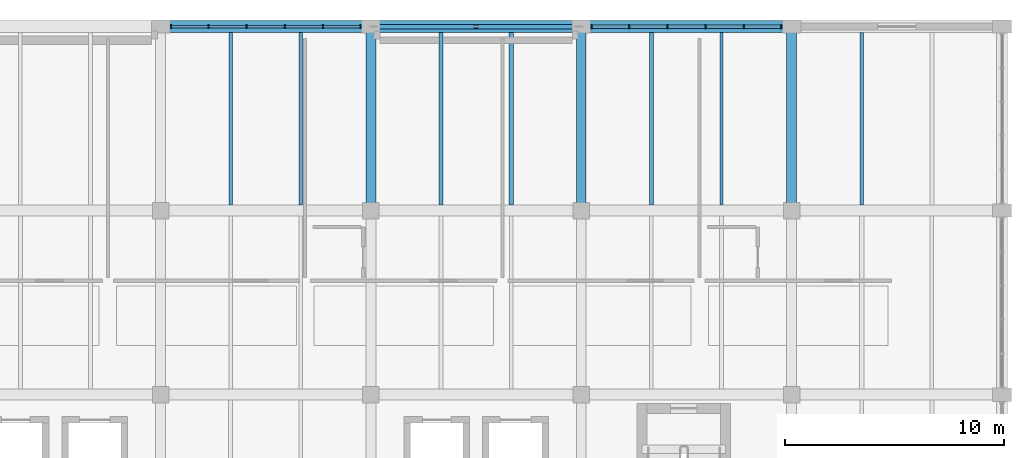
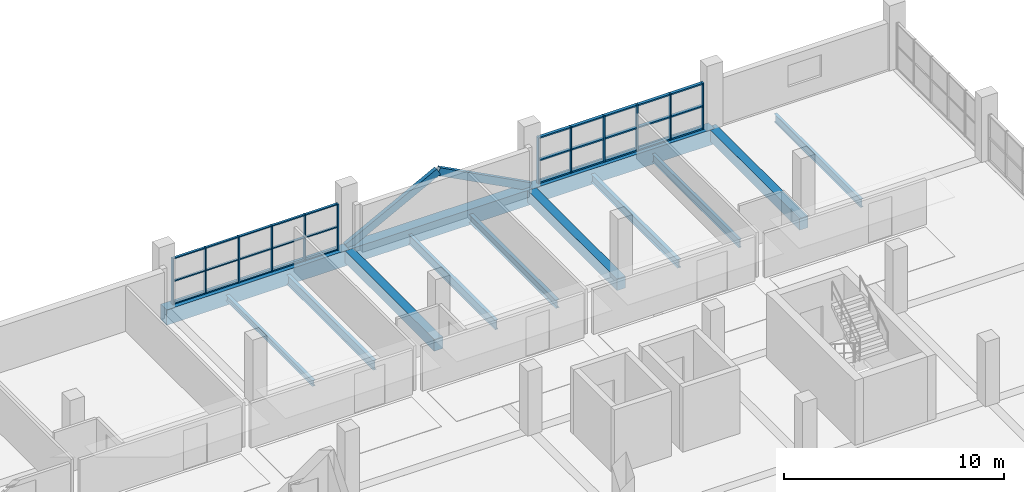
# One storey, part 89 of 147: 44 members, 13 beams, 2 elements without a shape of their own.
"""IFC4 building model written with IfcOpenShell, lengths in metres."""

from ifc_helpers import new_model, si_unit, direction, frame, origin, origin_2d, place, context, subcontext, project, spatial, rectangle, hollow_rectangle, i_section, extrude, material, material_profile, profile_set, type_object, element, aggregate, save


model = new_model("IFC4")

# Units and contexts
model_context = context("Model", 3, precision=1e-05, world=origin(), true_north=direction((0.0, 1.0)))
body_context = subcontext(model_context, "Body", "Model", "MODEL_VIEW")
ifc_project = project(units=[si_unit("LENGTHUNIT", "METRE"), si_unit("AREAUNIT", "SQUARE_METRE"), si_unit("VOLUMEUNIT", "CUBIC_METRE"), si_unit("PLANEANGLEUNIT", "RADIAN"), si_unit("MASSUNIT", "GRAM", prefix="KILO")], contexts=[model_context])

# Site, building, storey
site_placement = place(None, origin())
site = spatial("IfcSite", under=ifc_project, at=site_placement, CompositionType="ELEMENT")
building_placement = place(site_placement, origin())
building = spatial("IfcBuilding", under=site, at=building_placement, Name="Oolite Switchyard Hospital", CompositionType="ELEMENT")
storey_placement = place(building_placement, frame((0.0, 0.0, 9.89990234375)))
storey = spatial("IfcBuildingStorey", under=building, at=storey_placement, Name="L02", CompositionType="ELEMENT", Elevation=9.89990234375)

# Beams
ifc_material_1 = material(Name="Concrete C40/50", Category="concrete")
ifc_material_profile_1 = material_profile(ifc_material_1, rectangle(XDim=0.449951171875, YDim=0.64990234375, at=origin_2d()), Name="RCB450X650")
ifc_profile_set_1 = profile_set([ifc_material_profile_1], Name="Concrete C40/50")
beam_type_1 = type_object("IfcBeamType", Name="BM-RC450X650", PredefinedType="BEAM", material=ifc_profile_set_1)
for number, where, z_axis, x_axis, name in (
    (1, (182.39990234375, 126.0, -0.324951171875), (0.0, 1.0, 0.0), (-1.0, 0.0, 0.0), "L02 Y-Girder 1478"),
    (2, (192.0, 126.0, -0.324951171875), (0.0, 1.0, 0.0), (-1.0, 0.0, 0.0), "L02 Y-Girder 1490"),
    (3, (201.60009765625, 126.0, -0.324951171875), (0.0, 1.0, 0.0), (-1.0, 0.0, 0.0), "L02 Y-Girder 1502"),
):
    element("IfcBeam", number, at=place(storey_placement, frame(where, z_axis=z_axis, x_axis=x_axis)), inside=storey, type_object=beam_type_1, Name=name, PredefinedType="BEAM", context=body_context, shape_type="SweptSolid", body=[
        extrude(rectangle(XDim=0.449951171875, YDim=0.64990234375, at=origin_2d()), origin(), (0.0, 0.0, 1.0), 8.39990234375),
    ])
ifc_material_profile_2 = material_profile(ifc_material_1, rectangle(XDim=0.550048828125, YDim=0.85009765625, at=origin_2d()), Name="RCB550X850")
ifc_profile_set_2 = profile_set([ifc_material_profile_2], Name="Concrete C40/50")
beam_type_2 = type_object("IfcBeamType", Name="BM-RC550X850", PredefinedType="BEAM", material=ifc_profile_set_2)
beam_1_placement = place(storey_placement, frame((172.800048828125, 134.39990234375, -0.4248046875), z_axis=(1.0, 0.0, 0.0), x_axis=(0.0, 1.0, 0.0)))
element("IfcBeam", 4, at=beam_1_placement, inside=storey, type_object=beam_type_2, Name="L02 X-Girder 1246", PredefinedType="BEAM", context=body_context, shape_type="SweptSolid", body=[
    extrude(rectangle(XDim=0.550048828125, YDim=0.85009765625, at=origin_2d()), origin(), (0.0, 0.0, 1.0), 9.599853515625),
])
for number, where, z_axis, x_axis, name in (
    (5, (182.39990234375, 134.39990234375, -0.4248046875), (1.0, 0.0, 0.0), (0.0, 1.0, 0.0), "L02 X-Girder 1247"),
    (6, (192.0, 134.39990234375, -0.4248046875), (1.0, 0.0, 0.0), (0.0, 1.0, 0.0), "L02 X-Girder 1248"),
):
    element("IfcBeam", number, at=place(storey_placement, frame(where, z_axis=z_axis, x_axis=x_axis)), inside=storey, type_object=beam_type_2, Name=name, PredefinedType="BEAM", context=body_context, shape_type="SweptSolid", body=[
        extrude(rectangle(XDim=0.550048828125, YDim=0.85009765625, at=origin_2d()), origin(), (0.0, 0.0, 1.0), 9.60009765625),
    ])
ifc_material_2 = material(Name="Steel ASTM A992 Grade 50", Category="steel")
ifc_material_profile_3 = material_profile(ifc_material_2, i_section(OverallWidth=0.1650390625, OverallDepth=0.31005859375, WebThickness=0.006103515625, FlangeThickness=0.010009765625, at=origin_2d()), Name="W12X26")
ifc_profile_set_3 = profile_set([ifc_material_profile_3], Name="Steel ASTM A992 Grade 50")
beam_type_3 = type_object("IfcBeamType", Name="BM-W12X26", PredefinedType="JOIST", material=ifc_profile_set_3)
beam_2_placement = place(storey_placement, frame((176.0, 126.25, -0.414794921875), z_axis=(0.0, 1.0, 0.0), x_axis=(-1.0, 0.0, 0.0)))
element("IfcBeam", 7, at=beam_2_placement, inside=storey, type_object=beam_type_3, Name="L02 Secondary Steel Joist 1864", PredefinedType="JOIST", context=body_context, shape_type="SweptSolid", body=[
    extrude(i_section(OverallWidth=0.1650390625, OverallDepth=0.31005859375, WebThickness=0.006103515625, FlangeThickness=0.010009765625, at=origin_2d()), origin(), (0.0, 0.0, 1.0), 7.875),
])
ifc_material_profile_4 = material_profile(ifc_material_2, i_section(OverallWidth=0.153076171875, OverallDepth=0.455078125, WebThickness=0.008056640625, FlangeThickness=0.012939453125, at=origin_2d()), Name="W18X40")
ifc_profile_set_4 = profile_set([ifc_material_profile_4], Name="Steel ASTM A992 Grade 50")
beam_type_4 = type_object("IfcBeamType", Name="BM-W18X40", PredefinedType="JOIST", material=ifc_profile_set_4)
for number, where, z_axis, x_axis, name in (
    (8, (198.39990234375, 126.25, -0.48681640625), (0.0, 1.0, 0.0), (-1.0, 0.0, 0.0), "L02 Secondary Steel Joist 1909"),
    (9, (204.800048828125, 126.25, -0.48681640625), (0.0, 1.0, 0.0), (-1.0, 0.0, 0.0), "L02 Secondary Steel Joist 1924"),
):
    element("IfcBeam", number, at=place(storey_placement, frame(where, z_axis=z_axis, x_axis=x_axis)), inside=storey, type_object=beam_type_4, Name=name, PredefinedType="JOIST", context=body_context, shape_type="SweptSolid", body=[
        extrude(i_section(OverallWidth=0.153076171875, OverallDepth=0.455078125, WebThickness=0.008056640625, FlangeThickness=0.012939453125, at=origin_2d()), origin(), (0.0, 0.0, 1.0), 7.875),
    ])
ifc_material_profile_5 = material_profile(ifc_material_2, i_section(OverallWidth=0.19091796875, OverallDepth=0.4599609375, WebThickness=0.010009765625, FlangeThickness=0.01611328125, at=origin_2d()), Name="W18X55")
ifc_profile_set_5 = profile_set([ifc_material_profile_5], Name="Steel ASTM A992 Grade 50")
beam_type_5 = type_object("IfcBeamType", Name="BM-W18X55", PredefinedType="JOIST", material=ifc_profile_set_5)
for number, where, z_axis, x_axis, name in (
    (10, (188.800048828125, 126.25, -0.489990234375), (0.0, 1.0, 0.0), (-1.0, 0.0, 0.0), "L02 Secondary Steel Joist 1887"),
    (11, (195.199951171875, 126.25, -0.489990234375), (0.0, 1.0, 0.0), (-1.0, 0.0, 0.0), "L02 Secondary Steel Joist 1908"),
):
    element("IfcBeam", number, at=place(storey_placement, frame(where, z_axis=z_axis, x_axis=x_axis)), inside=storey, type_object=beam_type_5, Name=name, PredefinedType="JOIST", context=body_context, shape_type="SweptSolid", body=[
        extrude(i_section(OverallWidth=0.19091796875, OverallDepth=0.4599609375, WebThickness=0.010009765625, FlangeThickness=0.01611328125, at=origin_2d()), origin(), (0.0, 0.0, 1.0), 7.875),
    ])
ifc_material_profile_6 = material_profile(ifc_material_2, i_section(OverallWidth=0.166015625, OverallDepth=0.529052734375, WebThickness=0.010009765625, FlangeThickness=0.013916015625, at=origin_2d()), Name="W21X50")
ifc_profile_set_6 = profile_set([ifc_material_profile_6], Name="Steel ASTM A992 Grade 50")
beam_type_6 = type_object("IfcBeamType", Name="BM-W21X50", PredefinedType="JOIST", material=ifc_profile_set_6)
for number, where, z_axis, x_axis, name in (
    (12, (179.199951171875, 126.25, -0.52392578125), (0.0, 1.0, 0.0), (-1.0, 0.0, 0.0), "L02 Secondary Steel Joist 1865"),
    (13, (185.60009765625, 126.25, -0.52392578125), (0.0, 1.0, 0.0), (-1.0, 0.0, 0.0), "L02 Secondary Steel Joist 1886"),
):
    element("IfcBeam", number, at=place(storey_placement, frame(where, z_axis=z_axis, x_axis=x_axis)), inside=storey, type_object=beam_type_6, Name=name, PredefinedType="JOIST", context=body_context, shape_type="SweptSolid", body=[
        extrude(i_section(OverallWidth=0.166015625, OverallDepth=0.529052734375, WebThickness=0.010009765625, FlangeThickness=0.013916015625, at=origin_2d()), origin(), (0.0, 0.0, 1.0), 7.875),
    ])

# Curtain wall, members
ifc_material_3 = material(Name="Thermally broken aluminum frame with laminated impact glazing", Category="aluminium")
curtain_wall_type = type_object("IfcCurtainWallType", Name="CW-UNIT-96X36", PredefinedType="USERDEFINED", material=ifc_material_3)
curtain_wall_1_placement = place(storey_placement, origin())
curtain_wall_1 = element("IfcCurtainWall", 14, at=curtain_wall_1_placement, inside=storey, type_object=curtain_wall_type, Name="L02 Unitised Curtain Wall 274", ObjectType="UNITISED", PredefinedType="USERDEFINED")
ifc_material_4 = material(Name="Aluminium 6063-T6", Category="aluminium")
ifc_material_profile_7 = material_profile(ifc_material_4, rectangle(XDim=0.159912109375, YDim=0.06005859375, at=origin_2d()), Name="CWM60X160")
ifc_profile_set_7 = profile_set([ifc_material_profile_7], Name="Aluminium 6063-T6")
member_type_1 = type_object("IfcMemberType", Name="CW-MUL-180", PredefinedType="MULLION", material=ifc_profile_set_7)
member_1_placement = place(storey_placement, frame((173.27001953125, 134.39990234375, 0.0), z_axis=(0.0, 0.0, 1.0), x_axis=(0.0, 1.0, 0.0)))
member_1 = element("IfcMember", 15, at=member_1_placement, type_object=member_type_1, Name="CW-03 mullion 1", PredefinedType="MULLION", context=body_context, shape_type="SweptSolid", body=[
    extrude(rectangle(XDim=0.159912109375, YDim=0.06005859375, at=origin_2d()), origin(), (0.0, 0.0, 1.0), 2.570068359375),
])
member_2_placement = place(storey_placement, frame((174.98388671875, 134.39990234375, 0.0), z_axis=(0.0, 0.0, 1.0), x_axis=(0.0, 1.0, 0.0)))
member_2 = element("IfcMember", 16, at=member_2_placement, type_object=member_type_1, Name="CW-03 mullion 2", PredefinedType="MULLION", context=body_context, shape_type="SweptSolid", body=[
    extrude(rectangle(XDim=0.159912109375, YDim=0.06005859375, at=origin_2d()), origin(), (0.0, 0.0, 1.0), 2.570068359375),
])
member_3_placement = place(storey_placement, frame((176.72802734375, 134.39990234375, 0.0), z_axis=(0.0, 0.0, 1.0), x_axis=(0.0, 1.0, 0.0)))
member_3 = element("IfcMember", 17, at=member_3_placement, type_object=member_type_1, Name="CW-03 mullion 3", PredefinedType="MULLION", context=body_context, shape_type="SweptSolid", body=[
    extrude(rectangle(XDim=0.159912109375, YDim=0.06005859375, at=origin_2d()), origin(), (0.0, 0.0, 1.0), 2.570068359375),
])
member_4_placement = place(storey_placement, frame((178.471923828125, 134.39990234375, 0.0), z_axis=(0.0, 0.0, 1.0), x_axis=(0.0, 1.0, 0.0)))
member_4 = element("IfcMember", 18, at=member_4_placement, type_object=member_type_1, Name="CW-03 mullion 4", PredefinedType="MULLION", context=body_context, shape_type="SweptSolid", body=[
    extrude(rectangle(XDim=0.159912109375, YDim=0.06005859375, at=origin_2d()), origin(), (0.0, 0.0, 1.0), 2.570068359375),
])
member_5_placement = place(storey_placement, frame((180.216064453125, 134.39990234375, 0.0), z_axis=(0.0, 0.0, 1.0), x_axis=(0.0, 1.0, 0.0)))
member_5 = element("IfcMember", 19, at=member_5_placement, type_object=member_type_1, Name="CW-03 mullion 5", PredefinedType="MULLION", context=body_context, shape_type="SweptSolid", body=[
    extrude(rectangle(XDim=0.159912109375, YDim=0.06005859375, at=origin_2d()), origin(), (0.0, 0.0, 1.0), 2.570068359375),
])
member_6_placement = place(storey_placement, frame((181.929931640625, 134.39990234375, 0.0), z_axis=(0.0, 0.0, 1.0), x_axis=(0.0, 1.0, 0.0)))
member_6 = element("IfcMember", 20, at=member_6_placement, type_object=member_type_1, Name="CW-03 mullion 6", PredefinedType="MULLION", context=body_context, shape_type="SweptSolid", body=[
    extrude(rectangle(XDim=0.159912109375, YDim=0.06005859375, at=origin_2d()), origin(), (0.0, 0.0, 1.0), 2.570068359375),
])

curtain_wall_2_placement = place(storey_placement, origin())
curtain_wall_2 = element("IfcCurtainWall", 21, at=curtain_wall_2_placement, inside=storey, type_object=curtain_wall_type, Name="L02 Unitised Curtain Wall 275", ObjectType="UNITISED", PredefinedType="USERDEFINED")
ifc_material_profile_8 = material_profile(ifc_material_4, rectangle(XDim=0.179931640625, YDim=0.070068359375, at=origin_2d()), Name="CWM70X180")
ifc_profile_set_8 = profile_set([ifc_material_profile_8], Name="Aluminium 6063-T6")
member_type_2 = type_object("IfcMemberType", Name="CW-MUL-220", PredefinedType="MULLION", material=ifc_profile_set_8)
member_7_placement = place(storey_placement, frame((192.47509765625, 134.39990234375, 0.0), z_axis=(0.0, 0.0, 1.0), x_axis=(0.0, 1.0, 0.0)))
member_7 = element("IfcMember", 22, at=member_7_placement, type_object=member_type_2, Name="CW-03 mullion 1", PredefinedType="MULLION", context=body_context, shape_type="SweptSolid", body=[
    extrude(rectangle(XDim=0.179931640625, YDim=0.070068359375, at=origin_2d()), origin(), (0.0, 0.0, 1.0), 2.570068359375),
])
member_8_placement = place(storey_placement, frame((194.18408203125, 134.39990234375, 0.0), z_axis=(0.0, 0.0, 1.0), x_axis=(0.0, 1.0, 0.0)))
member_8 = element("IfcMember", 23, at=member_8_placement, type_object=member_type_2, Name="CW-03 mullion 2", PredefinedType="MULLION", context=body_context, shape_type="SweptSolid", body=[
    extrude(rectangle(XDim=0.179931640625, YDim=0.070068359375, at=origin_2d()), origin(), (0.0, 0.0, 1.0), 2.570068359375),
])
member_9_placement = place(storey_placement, frame((195.927978515625, 134.39990234375, 0.0), z_axis=(0.0, 0.0, 1.0), x_axis=(0.0, 1.0, 0.0)))
member_9 = element("IfcMember", 24, at=member_9_placement, type_object=member_type_2, Name="CW-03 mullion 3", PredefinedType="MULLION", context=body_context, shape_type="SweptSolid", body=[
    extrude(rectangle(XDim=0.179931640625, YDim=0.070068359375, at=origin_2d()), origin(), (0.0, 0.0, 1.0), 2.570068359375),
])
member_10_placement = place(storey_placement, frame((197.672119140625, 134.39990234375, 0.0), z_axis=(0.0, 0.0, 1.0), x_axis=(0.0, 1.0, 0.0)))
member_10 = element("IfcMember", 25, at=member_10_placement, type_object=member_type_2, Name="CW-03 mullion 4", PredefinedType="MULLION", context=body_context, shape_type="SweptSolid", body=[
    extrude(rectangle(XDim=0.179931640625, YDim=0.070068359375, at=origin_2d()), origin(), (0.0, 0.0, 1.0), 2.570068359375),
])
member_11_placement = place(storey_placement, frame((199.416015625, 134.39990234375, 0.0), z_axis=(0.0, 0.0, 1.0), x_axis=(0.0, 1.0, 0.0)))
member_11 = element("IfcMember", 26, at=member_11_placement, type_object=member_type_2, Name="CW-03 mullion 5", PredefinedType="MULLION", context=body_context, shape_type="SweptSolid", body=[
    extrude(rectangle(XDim=0.179931640625, YDim=0.070068359375, at=origin_2d()), origin(), (0.0, 0.0, 1.0), 2.570068359375),
])
member_12_placement = place(storey_placement, frame((201.125, 134.39990234375, 0.0), z_axis=(0.0, 0.0, 1.0), x_axis=(0.0, 1.0, 0.0)))
member_12 = element("IfcMember", 27, at=member_12_placement, type_object=member_type_2, Name="CW-03 mullion 6", PredefinedType="MULLION", context=body_context, shape_type="SweptSolid", body=[
    extrude(rectangle(XDim=0.179931640625, YDim=0.070068359375, at=origin_2d()), origin(), (0.0, 0.0, 1.0), 2.570068359375),
])

# Member
ifc_material_profile_9 = material_profile(ifc_material_4, rectangle(XDim=0.1201171875, YDim=0.06005859375, at=origin_2d()), Name="CWT60X120")
ifc_profile_set_9 = profile_set([ifc_material_profile_9], Name="Aluminium 6063-T6")
member_type_3 = type_object("IfcMemberType", Name="CW-TRN-150", PredefinedType="USERDEFINED", material=ifc_profile_set_9)
member_13_placement = place(storey_placement, frame((173.300048828125, 134.39990234375, 0.030029296875), z_axis=(1.0, 0.0, 0.0), x_axis=(0.0, 1.0, 0.0)))
member_13 = element("IfcMember", 28, at=member_13_placement, type_object=member_type_3, Name="CW-03 transom 1.1", ObjectType="TRANSOM", PredefinedType="USERDEFINED", context=body_context, shape_type="SweptSolid", body=[
    extrude(rectangle(XDim=0.1201171875, YDim=0.06005859375, at=origin_2d()), origin(), (0.0, 0.0, 1.0), 1.654052734375),
])

member_14_placement = place(storey_placement, frame((173.300048828125, 134.39990234375, 1.28515625), z_axis=(1.0, 0.0, 0.0), x_axis=(0.0, 1.0, 0.0)))
member_14 = element("IfcMember", 29, at=member_14_placement, type_object=member_type_3, Name="CW-03 transom 1.2", ObjectType="TRANSOM", PredefinedType="USERDEFINED", context=body_context, shape_type="SweptSolid", body=[
    extrude(rectangle(XDim=0.1201171875, YDim=0.06005859375, at=origin_2d()), origin(), (0.0, 0.0, 1.0), 1.654052734375),
])

member_15_placement = place(storey_placement, frame((173.300048828125, 134.39990234375, 2.5400390625), z_axis=(1.0, 0.0, 0.0), x_axis=(0.0, 1.0, 0.0)))
member_15 = element("IfcMember", 30, at=member_15_placement, type_object=member_type_3, Name="CW-03 transom 1.3", ObjectType="TRANSOM", PredefinedType="USERDEFINED", context=body_context, shape_type="SweptSolid", body=[
    extrude(rectangle(XDim=0.1201171875, YDim=0.06005859375, at=origin_2d()), origin(), (0.0, 0.0, 1.0), 1.654052734375),
])

member_16_placement = place(storey_placement, frame((175.013916015625, 134.39990234375, 0.030029296875), z_axis=(1.0, 0.0, 0.0), x_axis=(0.0, 1.0, 0.0)))
member_16 = element("IfcMember", 31, at=member_16_placement, type_object=member_type_3, Name="CW-03 transom 2.1", ObjectType="TRANSOM", PredefinedType="USERDEFINED", context=body_context, shape_type="SweptSolid", body=[
    extrude(rectangle(XDim=0.1201171875, YDim=0.06005859375, at=origin_2d()), origin(), (0.0, 0.0, 1.0), 1.68408203125),
])

member_17_placement = place(storey_placement, frame((175.013916015625, 134.39990234375, 1.28515625), z_axis=(1.0, 0.0, 0.0), x_axis=(0.0, 1.0, 0.0)))
member_17 = element("IfcMember", 32, at=member_17_placement, type_object=member_type_3, Name="CW-03 transom 2.2", ObjectType="TRANSOM", PredefinedType="USERDEFINED", context=body_context, shape_type="SweptSolid", body=[
    extrude(rectangle(XDim=0.1201171875, YDim=0.06005859375, at=origin_2d()), origin(), (0.0, 0.0, 1.0), 1.68408203125),
])

member_18_placement = place(storey_placement, frame((175.013916015625, 134.39990234375, 2.5400390625), z_axis=(1.0, 0.0, 0.0), x_axis=(0.0, 1.0, 0.0)))
member_18 = element("IfcMember", 33, at=member_18_placement, type_object=member_type_3, Name="CW-03 transom 2.3", ObjectType="TRANSOM", PredefinedType="USERDEFINED", context=body_context, shape_type="SweptSolid", body=[
    extrude(rectangle(XDim=0.1201171875, YDim=0.06005859375, at=origin_2d()), origin(), (0.0, 0.0, 1.0), 1.68408203125),
])

member_19_placement = place(storey_placement, frame((176.758056640625, 134.39990234375, 0.030029296875), z_axis=(1.0, 0.0, 0.0), x_axis=(0.0, 1.0, 0.0)))
member_19 = element("IfcMember", 34, at=member_19_placement, type_object=member_type_3, Name="CW-03 transom 3.1", ObjectType="TRANSOM", PredefinedType="USERDEFINED", context=body_context, shape_type="SweptSolid", body=[
    extrude(rectangle(XDim=0.1201171875, YDim=0.06005859375, at=origin_2d()), origin(), (0.0, 0.0, 1.0), 1.683837890625),
])

member_20_placement = place(storey_placement, frame((176.758056640625, 134.39990234375, 1.28515625), z_axis=(1.0, 0.0, 0.0), x_axis=(0.0, 1.0, 0.0)))
member_20 = element("IfcMember", 35, at=member_20_placement, type_object=member_type_3, Name="CW-03 transom 3.2", ObjectType="TRANSOM", PredefinedType="USERDEFINED", context=body_context, shape_type="SweptSolid", body=[
    extrude(rectangle(XDim=0.1201171875, YDim=0.06005859375, at=origin_2d()), origin(), (0.0, 0.0, 1.0), 1.683837890625),
])

member_21_placement = place(storey_placement, frame((176.758056640625, 134.39990234375, 2.5400390625), z_axis=(1.0, 0.0, 0.0), x_axis=(0.0, 1.0, 0.0)))
member_21 = element("IfcMember", 36, at=member_21_placement, type_object=member_type_3, Name="CW-03 transom 3.3", ObjectType="TRANSOM", PredefinedType="USERDEFINED", context=body_context, shape_type="SweptSolid", body=[
    extrude(rectangle(XDim=0.1201171875, YDim=0.06005859375, at=origin_2d()), origin(), (0.0, 0.0, 1.0), 1.683837890625),
])

member_22_placement = place(storey_placement, frame((178.501953125, 134.39990234375, 0.030029296875), z_axis=(1.0, 0.0, 0.0), x_axis=(0.0, 1.0, 0.0)))
member_22 = element("IfcMember", 37, at=member_22_placement, type_object=member_type_3, Name="CW-03 transom 4.1", ObjectType="TRANSOM", PredefinedType="USERDEFINED", context=body_context, shape_type="SweptSolid", body=[
    extrude(rectangle(XDim=0.1201171875, YDim=0.06005859375, at=origin_2d()), origin(), (0.0, 0.0, 1.0), 1.68408203125),
])

member_23_placement = place(storey_placement, frame((178.501953125, 134.39990234375, 1.28515625), z_axis=(1.0, 0.0, 0.0), x_axis=(0.0, 1.0, 0.0)))
member_23 = element("IfcMember", 38, at=member_23_placement, type_object=member_type_3, Name="CW-03 transom 4.2", ObjectType="TRANSOM", PredefinedType="USERDEFINED", context=body_context, shape_type="SweptSolid", body=[
    extrude(rectangle(XDim=0.1201171875, YDim=0.06005859375, at=origin_2d()), origin(), (0.0, 0.0, 1.0), 1.68408203125),
])

member_24_placement = place(storey_placement, frame((178.501953125, 134.39990234375, 2.5400390625), z_axis=(1.0, 0.0, 0.0), x_axis=(0.0, 1.0, 0.0)))
member_24 = element("IfcMember", 39, at=member_24_placement, type_object=member_type_3, Name="CW-03 transom 4.3", ObjectType="TRANSOM", PredefinedType="USERDEFINED", context=body_context, shape_type="SweptSolid", body=[
    extrude(rectangle(XDim=0.1201171875, YDim=0.06005859375, at=origin_2d()), origin(), (0.0, 0.0, 1.0), 1.68408203125),
])

member_25_placement = place(storey_placement, frame((180.24609375, 134.39990234375, 0.030029296875), z_axis=(1.0, 0.0, 0.0), x_axis=(0.0, 1.0, 0.0)))
member_25 = element("IfcMember", 40, at=member_25_placement, type_object=member_type_3, Name="CW-03 transom 5.1", ObjectType="TRANSOM", PredefinedType="USERDEFINED", context=body_context, shape_type="SweptSolid", body=[
    extrude(rectangle(XDim=0.1201171875, YDim=0.06005859375, at=origin_2d()), origin(), (0.0, 0.0, 1.0), 1.65380859375),
])

member_26_placement = place(storey_placement, frame((180.24609375, 134.39990234375, 1.28515625), z_axis=(1.0, 0.0, 0.0), x_axis=(0.0, 1.0, 0.0)))
member_26 = element("IfcMember", 41, at=member_26_placement, type_object=member_type_3, Name="CW-03 transom 5.2", ObjectType="TRANSOM", PredefinedType="USERDEFINED", context=body_context, shape_type="SweptSolid", body=[
    extrude(rectangle(XDim=0.1201171875, YDim=0.06005859375, at=origin_2d()), origin(), (0.0, 0.0, 1.0), 1.65380859375),
])

member_27_placement = place(storey_placement, frame((180.24609375, 134.39990234375, 2.5400390625), z_axis=(1.0, 0.0, 0.0), x_axis=(0.0, 1.0, 0.0)))
member_27 = element("IfcMember", 42, at=member_27_placement, type_object=member_type_3, Name="CW-03 transom 5.3", ObjectType="TRANSOM", PredefinedType="USERDEFINED", context=body_context, shape_type="SweptSolid", body=[
    extrude(rectangle(XDim=0.1201171875, YDim=0.06005859375, at=origin_2d()), origin(), (0.0, 0.0, 1.0), 1.65380859375),
])

aggregate(curtain_wall_1, [member_1, member_2, member_3, member_4, member_5, member_6, member_13, member_14, member_15, member_16, member_17, member_18, member_19, member_20, member_21, member_22, member_23, member_24, member_25, member_26, member_27])

ifc_material_profile_10 = material_profile(ifc_material_4, rectangle(XDim=0.159912109375, YDim=0.074951171875, at=origin_2d()), Name="CWT75X160")
ifc_profile_set_10 = profile_set([ifc_material_profile_10], Name="Aluminium 6063-T6")
member_type_4 = type_object("IfcMemberType", Name="CW-TRN-180", PredefinedType="USERDEFINED", material=ifc_profile_set_10)
member_28_placement = place(storey_placement, frame((192.510009765625, 134.39990234375, 0.03759765625), z_axis=(1.0, 0.0, 0.0), x_axis=(0.0, 1.0, 0.0)))
member_28 = element("IfcMember", 43, at=member_28_placement, type_object=member_type_4, Name="CW-03 transom 1.1", ObjectType="TRANSOM", PredefinedType="USERDEFINED", context=body_context, shape_type="SweptSolid", body=[
    extrude(rectangle(XDim=0.159912109375, YDim=0.074951171875, at=origin_2d()), origin(), (0.0, 0.0, 1.0), 1.638916015625),
])

member_29_placement = place(storey_placement, frame((192.510009765625, 134.39990234375, 1.28515625), z_axis=(1.0, 0.0, 0.0), x_axis=(0.0, 1.0, 0.0)))
member_29 = element("IfcMember", 44, at=member_29_placement, type_object=member_type_4, Name="CW-03 transom 1.2", ObjectType="TRANSOM", PredefinedType="USERDEFINED", context=body_context, shape_type="SweptSolid", body=[
    extrude(rectangle(XDim=0.159912109375, YDim=0.074951171875, at=origin_2d()), origin(), (0.0, 0.0, 1.0), 1.638916015625),
])

member_30_placement = place(storey_placement, frame((192.510009765625, 134.39990234375, 2.53271484375), z_axis=(1.0, 0.0, 0.0), x_axis=(0.0, 1.0, 0.0)))
member_30 = element("IfcMember", 45, at=member_30_placement, type_object=member_type_4, Name="CW-03 transom 1.3", ObjectType="TRANSOM", PredefinedType="USERDEFINED", context=body_context, shape_type="SweptSolid", body=[
    extrude(rectangle(XDim=0.159912109375, YDim=0.074951171875, at=origin_2d()), origin(), (0.0, 0.0, 1.0), 1.638916015625),
])

member_31_placement = place(storey_placement, frame((194.218994140625, 134.39990234375, 0.03759765625), z_axis=(1.0, 0.0, 0.0), x_axis=(0.0, 1.0, 0.0)))
member_31 = element("IfcMember", 46, at=member_31_placement, type_object=member_type_4, Name="CW-03 transom 2.1", ObjectType="TRANSOM", PredefinedType="USERDEFINED", context=body_context, shape_type="SweptSolid", body=[
    extrude(rectangle(XDim=0.159912109375, YDim=0.074951171875, at=origin_2d()), origin(), (0.0, 0.0, 1.0), 1.674072265625),
])

member_32_placement = place(storey_placement, frame((194.218994140625, 134.39990234375, 1.28515625), z_axis=(1.0, 0.0, 0.0), x_axis=(0.0, 1.0, 0.0)))
member_32 = element("IfcMember", 47, at=member_32_placement, type_object=member_type_4, Name="CW-03 transom 2.2", ObjectType="TRANSOM", PredefinedType="USERDEFINED", context=body_context, shape_type="SweptSolid", body=[
    extrude(rectangle(XDim=0.159912109375, YDim=0.074951171875, at=origin_2d()), origin(), (0.0, 0.0, 1.0), 1.674072265625),
])

member_33_placement = place(storey_placement, frame((194.218994140625, 134.39990234375, 2.53271484375), z_axis=(1.0, 0.0, 0.0), x_axis=(0.0, 1.0, 0.0)))
member_33 = element("IfcMember", 48, at=member_33_placement, type_object=member_type_4, Name="CW-03 transom 2.3", ObjectType="TRANSOM", PredefinedType="USERDEFINED", context=body_context, shape_type="SweptSolid", body=[
    extrude(rectangle(XDim=0.159912109375, YDim=0.074951171875, at=origin_2d()), origin(), (0.0, 0.0, 1.0), 1.674072265625),
])

member_34_placement = place(storey_placement, frame((195.962890625, 134.39990234375, 0.03759765625), z_axis=(1.0, 0.0, 0.0), x_axis=(0.0, 1.0, 0.0)))
member_34 = element("IfcMember", 49, at=member_34_placement, type_object=member_type_4, Name="CW-03 transom 3.1", ObjectType="TRANSOM", PredefinedType="USERDEFINED", context=body_context, shape_type="SweptSolid", body=[
    extrude(rectangle(XDim=0.159912109375, YDim=0.074951171875, at=origin_2d()), origin(), (0.0, 0.0, 1.0), 1.674072265625),
])

member_35_placement = place(storey_placement, frame((195.962890625, 134.39990234375, 1.28515625), z_axis=(1.0, 0.0, 0.0), x_axis=(0.0, 1.0, 0.0)))
member_35 = element("IfcMember", 50, at=member_35_placement, type_object=member_type_4, Name="CW-03 transom 3.2", ObjectType="TRANSOM", PredefinedType="USERDEFINED", context=body_context, shape_type="SweptSolid", body=[
    extrude(rectangle(XDim=0.159912109375, YDim=0.074951171875, at=origin_2d()), origin(), (0.0, 0.0, 1.0), 1.674072265625),
])

member_36_placement = place(storey_placement, frame((195.962890625, 134.39990234375, 2.53271484375), z_axis=(1.0, 0.0, 0.0), x_axis=(0.0, 1.0, 0.0)))
member_36 = element("IfcMember", 51, at=member_36_placement, type_object=member_type_4, Name="CW-03 transom 3.3", ObjectType="TRANSOM", PredefinedType="USERDEFINED", context=body_context, shape_type="SweptSolid", body=[
    extrude(rectangle(XDim=0.159912109375, YDim=0.074951171875, at=origin_2d()), origin(), (0.0, 0.0, 1.0), 1.674072265625),
])

member_37_placement = place(storey_placement, frame((197.70703125, 134.39990234375, 0.03759765625), z_axis=(1.0, 0.0, 0.0), x_axis=(0.0, 1.0, 0.0)))
member_37 = element("IfcMember", 52, at=member_37_placement, type_object=member_type_4, Name="CW-03 transom 4.1", ObjectType="TRANSOM", PredefinedType="USERDEFINED", context=body_context, shape_type="SweptSolid", body=[
    extrude(rectangle(XDim=0.159912109375, YDim=0.074951171875, at=origin_2d()), origin(), (0.0, 0.0, 1.0), 1.674072265625),
])

member_38_placement = place(storey_placement, frame((197.70703125, 134.39990234375, 1.28515625), z_axis=(1.0, 0.0, 0.0), x_axis=(0.0, 1.0, 0.0)))
member_38 = element("IfcMember", 53, at=member_38_placement, type_object=member_type_4, Name="CW-03 transom 4.2", ObjectType="TRANSOM", PredefinedType="USERDEFINED", context=body_context, shape_type="SweptSolid", body=[
    extrude(rectangle(XDim=0.159912109375, YDim=0.074951171875, at=origin_2d()), origin(), (0.0, 0.0, 1.0), 1.674072265625),
])

member_39_placement = place(storey_placement, frame((197.70703125, 134.39990234375, 2.53271484375), z_axis=(1.0, 0.0, 0.0), x_axis=(0.0, 1.0, 0.0)))
member_39 = element("IfcMember", 54, at=member_39_placement, type_object=member_type_4, Name="CW-03 transom 4.3", ObjectType="TRANSOM", PredefinedType="USERDEFINED", context=body_context, shape_type="SweptSolid", body=[
    extrude(rectangle(XDim=0.159912109375, YDim=0.074951171875, at=origin_2d()), origin(), (0.0, 0.0, 1.0), 1.674072265625),
])

member_40_placement = place(storey_placement, frame((199.450927734375, 134.39990234375, 0.03759765625), z_axis=(1.0, 0.0, 0.0), x_axis=(0.0, 1.0, 0.0)))
member_40 = element("IfcMember", 55, at=member_40_placement, type_object=member_type_4, Name="CW-03 transom 5.1", ObjectType="TRANSOM", PredefinedType="USERDEFINED", context=body_context, shape_type="SweptSolid", body=[
    extrude(rectangle(XDim=0.159912109375, YDim=0.074951171875, at=origin_2d()), origin(), (0.0, 0.0, 1.0), 1.63916015625),
])

member_41_placement = place(storey_placement, frame((199.450927734375, 134.39990234375, 1.28515625), z_axis=(1.0, 0.0, 0.0), x_axis=(0.0, 1.0, 0.0)))
member_41 = element("IfcMember", 56, at=member_41_placement, type_object=member_type_4, Name="CW-03 transom 5.2", ObjectType="TRANSOM", PredefinedType="USERDEFINED", context=body_context, shape_type="SweptSolid", body=[
    extrude(rectangle(XDim=0.159912109375, YDim=0.074951171875, at=origin_2d()), origin(), (0.0, 0.0, 1.0), 1.63916015625),
])

member_42_placement = place(storey_placement, frame((199.450927734375, 134.39990234375, 2.53271484375), z_axis=(1.0, 0.0, 0.0), x_axis=(0.0, 1.0, 0.0)))
member_42 = element("IfcMember", 57, at=member_42_placement, type_object=member_type_4, Name="CW-03 transom 5.3", ObjectType="TRANSOM", PredefinedType="USERDEFINED", context=body_context, shape_type="SweptSolid", body=[
    extrude(rectangle(XDim=0.159912109375, YDim=0.074951171875, at=origin_2d()), origin(), (0.0, 0.0, 1.0), 1.63916015625),
])

aggregate(curtain_wall_2, [member_7, member_8, member_9, member_10, member_11, member_12, member_28, member_29, member_30, member_31, member_32, member_33, member_34, member_35, member_36, member_37, member_38, member_39, member_40, member_41, member_42])

# Members
ifc_material_5 = material(Name="Steel ASTM A500 Grade C", Category="steel")
ifc_material_profile_11 = material_profile(ifc_material_5, hollow_rectangle(XDim=0.202880859375, YDim=0.406005859375, WallThickness=0.012939453125, at=origin_2d()), Name="HSS406X203X13")
ifc_profile_set_11 = profile_set([ifc_material_profile_11], Name="Steel ASTM A500 Grade C")
member_type_5 = type_object("IfcMemberType", Name="MEM-BR-RHS406", PredefinedType="BRACE", material=ifc_profile_set_11)
for number, where, z_axis, x_axis, name in (
    (58, (182.39990234375, 134.39990234375, 0.02001953125), (0.885398366188, 0.0, 0.464833016418), (0.0, 1.0, 0.0), "L02 Chevron Brace 49"),
    (59, (192.0, 134.39990234375, 0.02001953125), (-0.885398366188, 0.0, 0.464833016418), (0.0, -1.0, 0.0), "L02 Chevron Brace 50"),
):
    element("IfcMember", number, at=place(storey_placement, frame(where, z_axis=z_axis, x_axis=x_axis)), inside=storey, type_object=member_type_5, Name=name, PredefinedType="BRACE", context=body_context, shape_type="SweptSolid", body=[
        extrude(hollow_rectangle(XDim=0.202880859375, YDim=0.406005859375, WallThickness=0.012939453125, at=origin_2d()), origin(), (0.0, 0.0, 1.0), 5.42138671875),
    ])

save(model, "model.ifc")
